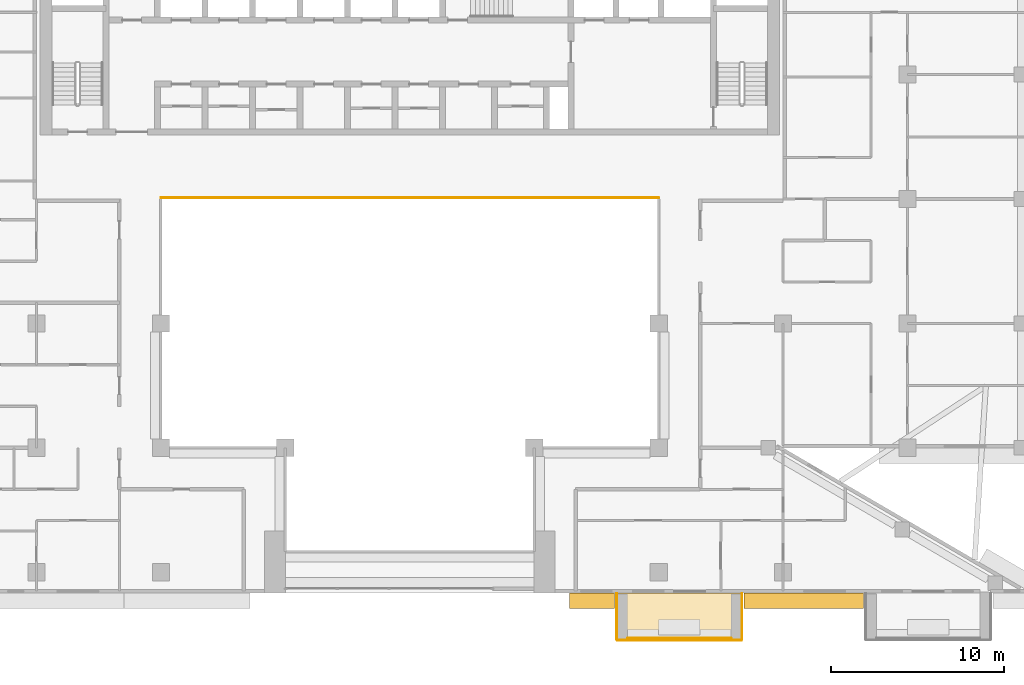
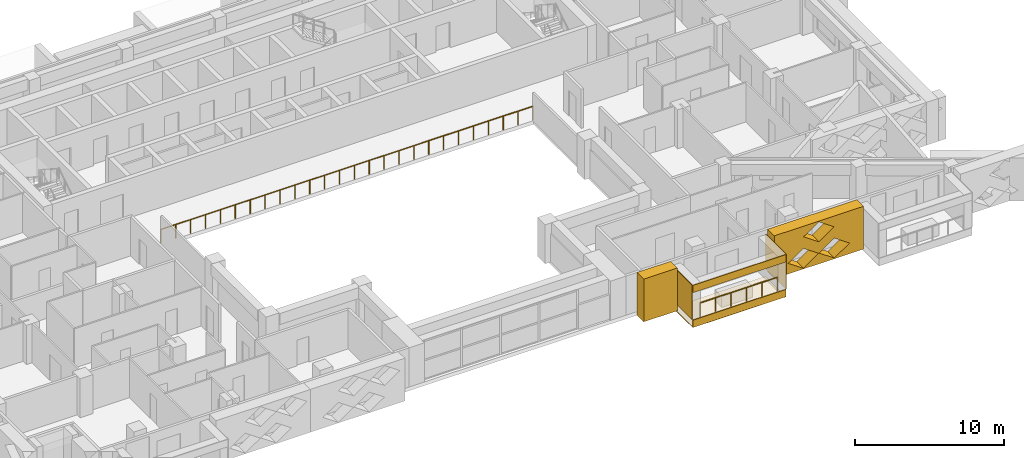
# One storey, part 16 of 20: 7 coverings, 2 railings.
"""IFC4 building model written with IfcOpenShell, lengths in metres."""

from ifc_helpers import new_model, si_unit, direction, frame, origin, origin_2d, place, context, subcontext, project, spatial, polyline, circle, outline, extrude, material, layer, layer_set, type_object, element, save


model = new_model("IFC4")

# Units and contexts
model_context = context("Model", 3, precision=1e-05, world=origin(), true_north=direction((0.0, 1.0)))
body_context = subcontext(model_context, "Body", "Model", "MODEL_VIEW")
ifc_project = project(units=[si_unit("LENGTHUNIT", "METRE"), si_unit("AREAUNIT", "SQUARE_METRE"), si_unit("VOLUMEUNIT", "CUBIC_METRE"), si_unit("PLANEANGLEUNIT", "RADIAN"), si_unit("MASSUNIT", "GRAM", prefix="KILO")], contexts=[model_context])

# Site, building, storey
site_placement = place(None, origin())
site = spatial("IfcSite", under=ifc_project, at=site_placement, CompositionType="ELEMENT")
building_placement = place(site_placement, origin())
building = spatial("IfcBuilding", under=site, at=building_placement, Name="Saffron Iwan Residences", CompositionType="ELEMENT")
storey_placement = place(building_placement, frame((0.0, 0.0, 157.0)))
storey = spatial("IfcBuildingStorey", under=building, at=storey_placement, Name="L41", CompositionType="ELEMENT", Elevation=157.0)

# Railings
ifc_material_1 = material(Name="Stainless steel 316", Category="steel")
railing_type_1 = type_object("IfcRailingType", Name="Atrium guard 1150", PredefinedType="GUARDRAIL", material=ifc_material_1)
railing_1_placement = place(storey_placement, frame((36.0, 62.47509765625, 0.0)))
element("IfcRailing", 1, at=railing_1_placement, inside=storey, type_object=railing_type_1, Name="Atrium guard L41", PredefinedType="GUARDRAIL", context=body_context, shape_type="SweptSolid", body=[
    extrude(circle(Radius=0.02392578125, at=origin_2d()), frame((0.0, 0.0, 1.1259765625), z_axis=(1.0, 0.0, 0.0), x_axis=(0.0, 1.0, 0.0)), (0.0, 0.0, 1.0), 28.800048828125),
    extrude(circle(Radius=0.02099609375, at=origin_2d()), origin(), (0.0, 0.0, 1.0), 1.101806640625),
    extrude(circle(Radius=0.02099609375, at=origin_2d()), frame((1.152099609375, 0.0, 0.0)), (0.0, 0.0, 1.0), 1.101806640625),
    extrude(circle(Radius=0.02099609375, at=origin_2d()), frame((2.303955078125, 0.0, 0.0)), (0.0, 0.0, 1.0), 1.101806640625),
    extrude(circle(Radius=0.02099609375, at=origin_2d()), frame((3.4560546875, 0.0, 0.0)), (0.0, 0.0, 1.0), 1.101806640625),
    extrude(circle(Radius=0.02099609375, at=origin_2d()), frame((4.60791015625, 0.0, 0.0)), (0.0, 0.0, 1.0), 1.101806640625),
    extrude(circle(Radius=0.02099609375, at=origin_2d()), frame((5.760009765625, 0.0, 0.0)), (0.0, 0.0, 1.0), 1.101806640625),
    extrude(circle(Radius=0.02099609375, at=origin_2d()), frame((6.912109375, 0.0, 0.0)), (0.0, 0.0, 1.0), 1.101806640625),
    extrude(circle(Radius=0.02099609375, at=origin_2d()), frame((8.06396484375, 0.0, 0.0)), (0.0, 0.0, 1.0), 1.101806640625),
    extrude(circle(Radius=0.02099609375, at=origin_2d()), frame((9.216064453125, 0.0, 0.0)), (0.0, 0.0, 1.0), 1.101806640625),
    extrude(circle(Radius=0.02099609375, at=origin_2d()), frame((10.367919921875, 0.0, 0.0)), (0.0, 0.0, 1.0), 1.101806640625),
    extrude(circle(Radius=0.02099609375, at=origin_2d()), frame((11.52001953125, 0.0, 0.0)), (0.0, 0.0, 1.0), 1.101806640625),
    extrude(circle(Radius=0.02099609375, at=origin_2d()), frame((12.672119140625, 0.0, 0.0)), (0.0, 0.0, 1.0), 1.101806640625),
    extrude(circle(Radius=0.02099609375, at=origin_2d()), frame((13.823974609375, 0.0, 0.0)), (0.0, 0.0, 1.0), 1.101806640625),
    extrude(circle(Radius=0.02099609375, at=origin_2d()), frame((14.97607421875, 0.0, 0.0)), (0.0, 0.0, 1.0), 1.101806640625),
    extrude(circle(Radius=0.02099609375, at=origin_2d()), frame((16.1279296875, 0.0, 0.0)), (0.0, 0.0, 1.0), 1.101806640625),
    extrude(circle(Radius=0.02099609375, at=origin_2d()), frame((17.280029296875, 0.0, 0.0)), (0.0, 0.0, 1.0), 1.101806640625),
    extrude(circle(Radius=0.02099609375, at=origin_2d()), frame((18.43212890625, 0.0, 0.0)), (0.0, 0.0, 1.0), 1.101806640625),
    extrude(circle(Radius=0.02099609375, at=origin_2d()), frame((19.583984375, 0.0, 0.0)), (0.0, 0.0, 1.0), 1.101806640625),
    extrude(circle(Radius=0.02099609375, at=origin_2d()), frame((20.736083984375, 0.0, 0.0)), (0.0, 0.0, 1.0), 1.101806640625),
    extrude(circle(Radius=0.02099609375, at=origin_2d()), frame((21.887939453125, 0.0, 0.0)), (0.0, 0.0, 1.0), 1.101806640625),
    extrude(circle(Radius=0.02099609375, at=origin_2d()), frame((23.0400390625, 0.0, 0.0)), (0.0, 0.0, 1.0), 1.101806640625),
    extrude(circle(Radius=0.02099609375, at=origin_2d()), frame((24.192138671875, 0.0, 0.0)), (0.0, 0.0, 1.0), 1.101806640625),
    extrude(circle(Radius=0.02099609375, at=origin_2d()), frame((25.343994140625, 0.0, 0.0)), (0.0, 0.0, 1.0), 1.101806640625),
    extrude(circle(Radius=0.02099609375, at=origin_2d()), frame((26.49609375, 0.0, 0.0)), (0.0, 0.0, 1.0), 1.101806640625),
    extrude(circle(Radius=0.02099609375, at=origin_2d()), frame((27.64794921875, 0.0, 0.0)), (0.0, 0.0, 1.0), 1.101806640625),
    extrude(circle(Radius=0.02099609375, at=origin_2d()), frame((28.800048828125, 0.0, 0.0)), (0.0, 0.0, 1.0), 1.101806640625),
])
railing_type_2 = type_object("IfcRailingType", Name="BALCONY GUARD 1150", PredefinedType="GUARDRAIL", material=ifc_material_1)
railing_2_placement = place(storey_placement, frame((63.0, 36.97509765625, 0.0)))
element("IfcRailing", 2, at=railing_2_placement, inside=storey, type_object=railing_type_2, Name="Balcony guard L41 11-2", PredefinedType="GUARDRAIL", context=body_context, shape_type="SweptSolid", body=[
    extrude(circle(Radius=0.02392578125, at=origin_2d()), frame((0.0, 0.0, 1.1259765625), z_axis=(1.0, 0.0, 0.0), x_axis=(0.0, 1.0, 0.0)), (0.0, 0.0, 1.0), 6.0),
    extrude(circle(Radius=0.02099609375, at=origin_2d()), origin(), (0.0, 0.0, 1.0), 1.101806640625),
    extrude(circle(Radius=0.02099609375, at=origin_2d()), frame((1.199951171875, 0.0, 0.0)), (0.0, 0.0, 1.0), 1.101806640625),
    extrude(circle(Radius=0.02099609375, at=origin_2d()), frame((2.39990234375, 0.0, 0.0)), (0.0, 0.0, 1.0), 1.101806640625),
    extrude(circle(Radius=0.02099609375, at=origin_2d()), frame((3.60009765625, 0.0, 0.0)), (0.0, 0.0, 1.0), 1.101806640625),
    extrude(circle(Radius=0.02099609375, at=origin_2d()), frame((4.800048828125, 0.0, 0.0)), (0.0, 0.0, 1.0), 1.101806640625),
    extrude(circle(Radius=0.02099609375, at=origin_2d()), frame((6.0, 0.0, 0.0)), (0.0, 0.0, 1.0), 1.101806640625),
])

# Coverings
ifc_material_2 = material(Name="Precast concrete C40/50 white painted", Category="concrete")
ifc_layer = layer(ifc_material_2, 0.050048828125)
ifc_layer_set = layer_set([ifc_layer], Name="Precast concrete C40/50 white painted")
covering_type_1 = type_object("IfcCoveringType", Name="FRAME SKIN PRECAST WHITE 50", PredefinedType="CLADDING", material=ifc_layer_set)
for number, where, name in (
    (3, (0.0, 0.0, -0.60009765625), "Frame skin slab edge L41 11-2"),
    (4, (0.0, 0.0, 2.25), "Frame skin fascia L41 11-2"),
):
    element("IfcCovering", number, at=place(storey_placement, frame(where)), inside=storey, type_object=covering_type_1, Name=name, PredefinedType="CLADDING", context=body_context, shape_type="SweptSolid", body=[
        extrude(outline(polyline([(62.39990234375, 36.85009765625), (69.60009765625, 36.85009765625), (69.60009765625, 36.89990234375), (62.39990234375, 36.89990234375), (62.39990234375, 36.85009765625)])), origin(), (0.0, 0.0, 1.0), 0.60009765625),
    ])
covering_1_placement = place(storey_placement, frame((0.0, 0.0, -0.64990234375)))
element("IfcCovering", 5, at=covering_1_placement, inside=storey, type_object=covering_type_1, Name="Frame skin soffit L41 11-2", PredefinedType="CLADDING", context=body_context, shape_type="SweptSolid", body=[
    extrude(outline(polyline([(62.39990234375, 36.89990234375), (69.60009765625, 36.89990234375), (69.60009765625, 39.60009765625), (62.39990234375, 39.60009765625), (62.39990234375, 36.89990234375)])), origin(), (0.0, 0.0, 1.0), 0.0498046875),
])
covering_2_placement = place(storey_placement, origin())
element("IfcCovering", 6, at=covering_2_placement, inside=storey, type_object=covering_type_1, Name="Frame skin fin L41 11-2a", PredefinedType="CLADDING", context=body_context, shape_type="SweptSolid", body=[
    extrude(outline(polyline([(62.35009765625, 36.89990234375), (62.39990234375, 36.89990234375), (62.39990234375, 39.60009765625), (62.35009765625, 39.60009765625), (62.35009765625, 36.89990234375)])), origin(), (0.0, 0.0, 1.0), 2.85009765625),
])
covering_3_placement = place(storey_placement, origin())
element("IfcCovering", 7, at=covering_3_placement, inside=storey, type_object=covering_type_1, Name="Frame skin fin L41 11-2b", PredefinedType="CLADDING", context=body_context, shape_type="SweptSolid", body=[
    extrude(outline(polyline([(69.60009765625, 36.89990234375), (69.64990234375, 36.89990234375), (69.64990234375, 39.60009765625), (69.60009765625, 39.60009765625), (69.60009765625, 36.89990234375)])), origin(), (0.0, 0.0, 1.0), 2.85009765625),
])
ifc_material_3 = material(Name="Precast concrete C40/50", Category="concrete")
covering_type_2 = type_object("IfcCoveringType", Name="OUTER SKIN LATTICE SCREEN", PredefinedType="CLADDING", material=ifc_material_3)
covering_4_placement = place(storey_placement, frame((59.64990234375, 39.60009765625, -0.300048828125), z_axis=(0.0, -1.0, 0.0), x_axis=(1.0, 0.0, 0.0)))
element("IfcCovering", 8, at=covering_4_placement, inside=storey, type_object=covering_type_2, Name="OUTER SKIN lattice screen L41 F11.3", PredefinedType="CLADDING", context=body_context, shape_type="SweptSolid", body=[
    extrude(outline(polyline([(0.0, 0.0), (2.60009765625, 0.0), (2.60009765625, 3.5), (0.0, 3.5), (0.0, 0.0)])), origin(), (0.0, 0.0, 1.0), 0.900146484375),
])
covering_5_placement = place(storey_placement, frame((69.75, 39.60009765625, -0.300048828125), z_axis=(0.0, -1.0, 0.0), x_axis=(1.0, 0.0, 0.0)))
element("IfcCovering", 9, at=covering_5_placement, inside=storey, type_object=covering_type_2, Name="OUTER SKIN lattice screen L41 F11.4", PredefinedType="CLADDING", context=body_context, shape_type="SweptSolid", body=[
    extrude(outline(polyline([(0.0, 0.0), (6.89990234375, 0.0), (6.89990234375, 3.5), (0.0, 3.5), (0.0, 0.0)]), holes=[polyline([(1.070068359375, 0.875), (2.25, 0.06005859375), (3.429931640625, 0.875), (2.25, 1.68994140625), (1.070068359375, 0.875)]), polyline([(3.469970703125, 0.875), (4.64990234375, 0.06005859375), (5.830078125, 0.875), (4.64990234375, 1.68994140625), (3.469970703125, 0.875)]), polyline([(2.27001953125, 2.625), (3.449951171875, 1.81005859375), (4.6298828125, 2.625), (3.449951171875, 3.43994140625), (2.27001953125, 2.625)])]), origin(), (0.0, 0.0, 1.0), 0.900146484375),
])

save(model, "model.ifc")
